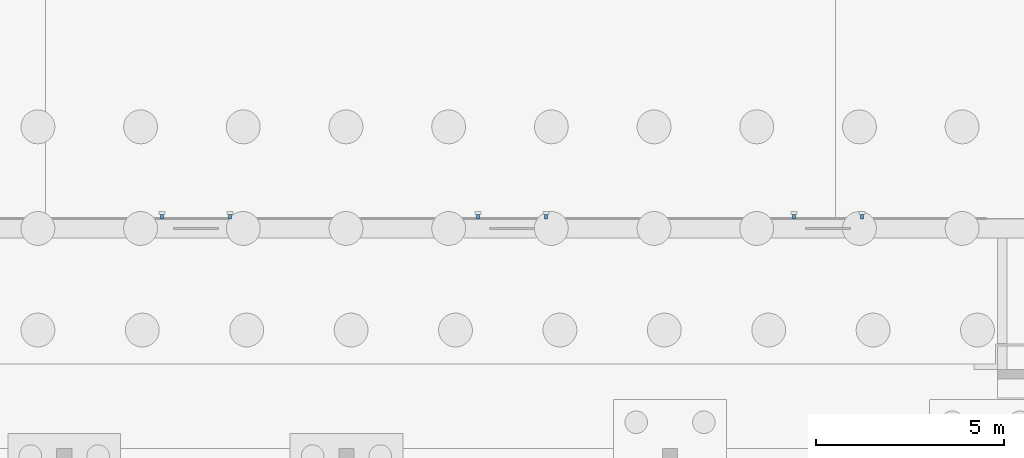
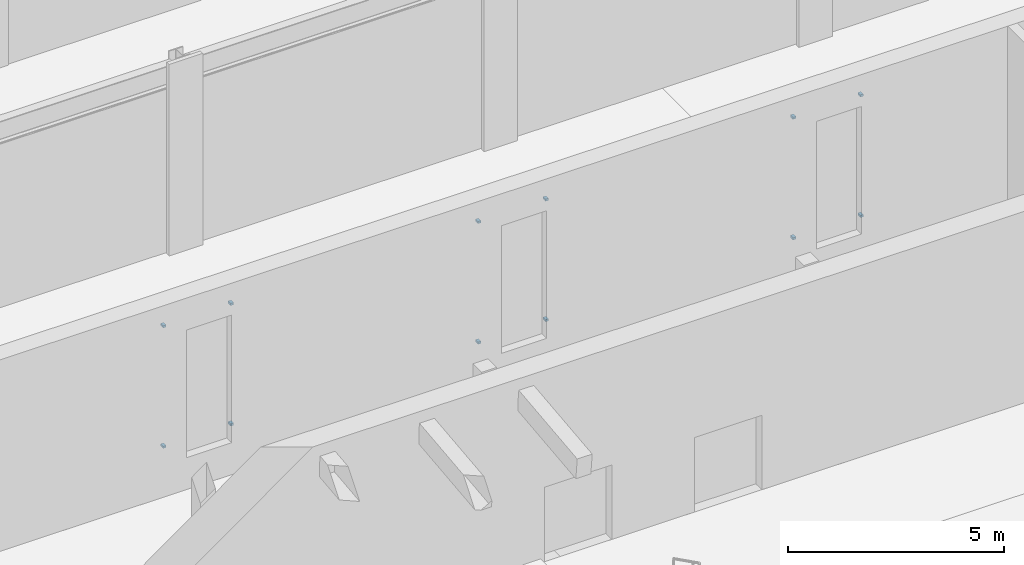
# One storey, part 88 of 127: 12 discrete accessories.
"""IFC4 building model written with IfcOpenShell, lengths in metres."""

from ifc_helpers import new_model, si_unit, direction, frame, origin, origin_2d, place, context, subcontext, project, spatial, rectangle, extrude, material, type_object, element, save


model = new_model("IFC4")

# Units and contexts
model_context = context("Model", 3, precision=1e-05, world=origin(), true_north=direction((0.0, 1.0)))
body_context = subcontext(model_context, "Body", "Model", "MODEL_VIEW")
ifc_project = project(units=[si_unit("LENGTHUNIT", "METRE"), si_unit("AREAUNIT", "SQUARE_METRE"), si_unit("VOLUMEUNIT", "CUBIC_METRE"), si_unit("PLANEANGLEUNIT", "RADIAN"), si_unit("MASSUNIT", "GRAM", prefix="KILO")], contexts=[model_context])

# Site, building, storey
site_placement = place(None, origin())
site = spatial("IfcSite", under=ifc_project, at=site_placement, CompositionType="ELEMENT")
building_placement = place(site_placement, origin())
building = spatial("IfcBuilding", under=site, at=building_placement, Name="Ljudholm Concert House", CompositionType="ELEMENT")
storey_placement = place(building_placement, origin())
storey = spatial("IfcBuildingStorey", under=building, at=storey_placement, Name="L00", CompositionType="ELEMENT", Elevation=0.0)

# Discrete accessories
ifc_material = material(Name="Stainless steel bracket", Category="steel")
discrete_accessory_type = type_object("IfcDiscreteAccessoryType", Name="BRACKET 120", PredefinedType="BRACKET", material=ifc_material)
for number, where, z_axis, x_axis, name in (
    (1, (66.10009765625, 96.7099609375, 0.969970703125), (0.0, 0.0, 1.0), (0.0, 1.0, 0.0), "Fin bracket"),
    (2, (66.10009765625, 96.7099609375, 4.369873046875), (0.0, 0.0, 1.0), (0.0, 1.0, 0.0), "Fin bracket"),
    (3, (67.89990234375, 96.7099609375, 0.969970703125), (0.0, 0.0, 1.0), (0.0, 1.0, 0.0), "Fin bracket"),
    (4, (67.89990234375, 96.7099609375, 4.369873046875), (0.0, 0.0, 1.0), (0.0, 1.0, 0.0), "Fin bracket"),
    (5, (74.5, 96.7099609375, 0.969970703125), (0.0, 0.0, 1.0), (0.0, 1.0, 0.0), "Fin bracket"),
    (6, (74.5, 96.7099609375, 4.369873046875), (0.0, 0.0, 1.0), (0.0, 1.0, 0.0), "Fin bracket"),
    (7, (76.300048828125, 96.7099609375, 0.969970703125), (0.0, 0.0, 1.0), (0.0, 1.0, 0.0), "Fin bracket"),
    (8, (76.300048828125, 96.7099609375, 4.369873046875), (0.0, 0.0, 1.0), (0.0, 1.0, 0.0), "Fin bracket"),
    (9, (82.89990234375, 96.7099609375, 0.969970703125), (0.0, 0.0, 1.0), (0.0, 1.0, 0.0), "Fin bracket"),
    (10, (82.89990234375, 96.7099609375, 4.369873046875), (0.0, 0.0, 1.0), (0.0, 1.0, 0.0), "Fin bracket"),
    (11, (84.699951171875, 96.7099609375, 0.969970703125), (0.0, 0.0, 1.0), (0.0, 1.0, 0.0), "Fin bracket"),
    (12, (84.699951171875, 96.7099609375, 4.369873046875), (0.0, 0.0, 1.0), (0.0, 1.0, 0.0), "Fin bracket"),
):
    element("IfcDiscreteAccessory", number, at=place(storey_placement, frame(where, z_axis=z_axis, x_axis=x_axis)), inside=storey, type_object=discrete_accessory_type, Name=name, PredefinedType="BRACKET", context=body_context, shape_type="SweptSolid", body=[
        extrude(rectangle(XDim=0.1201171875, YDim=0.080078125, at=origin_2d()), origin(), (0.0, 0.0, 1.0), 0.06005859375),
    ])

save(model, "model.ifc")
